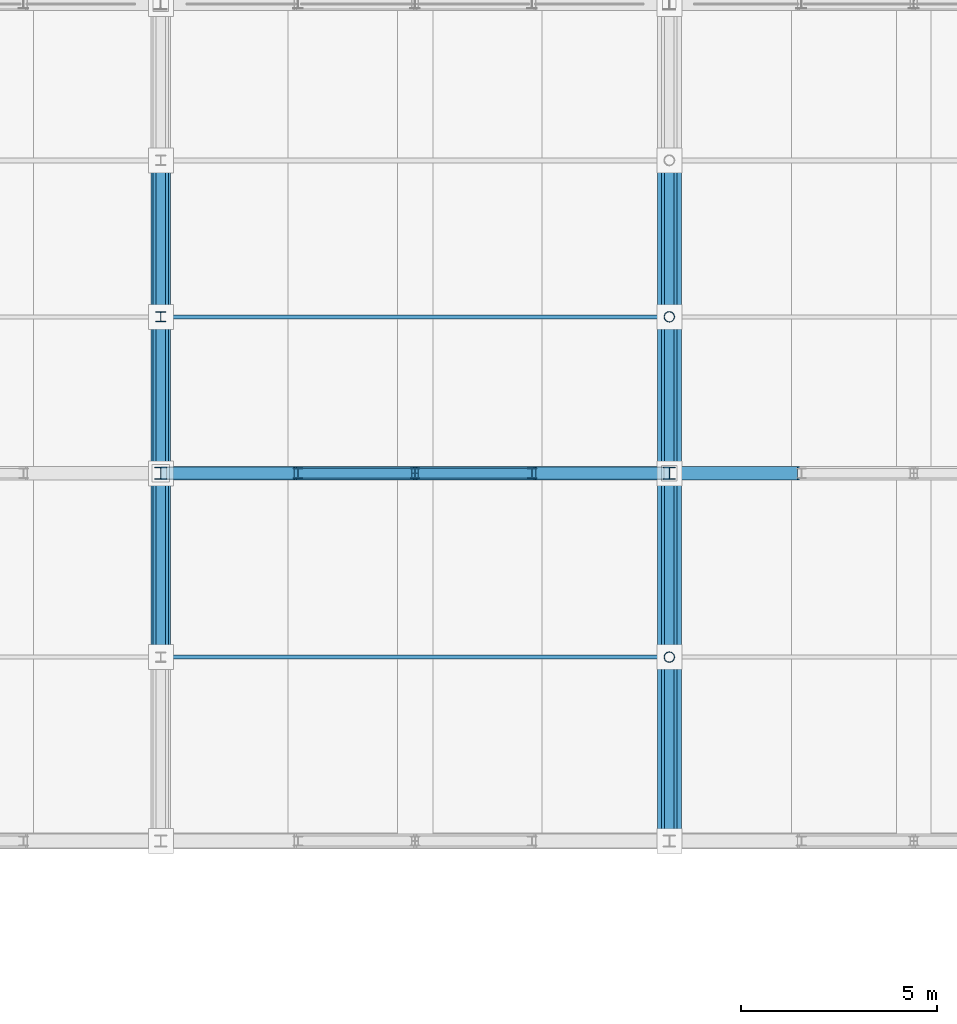
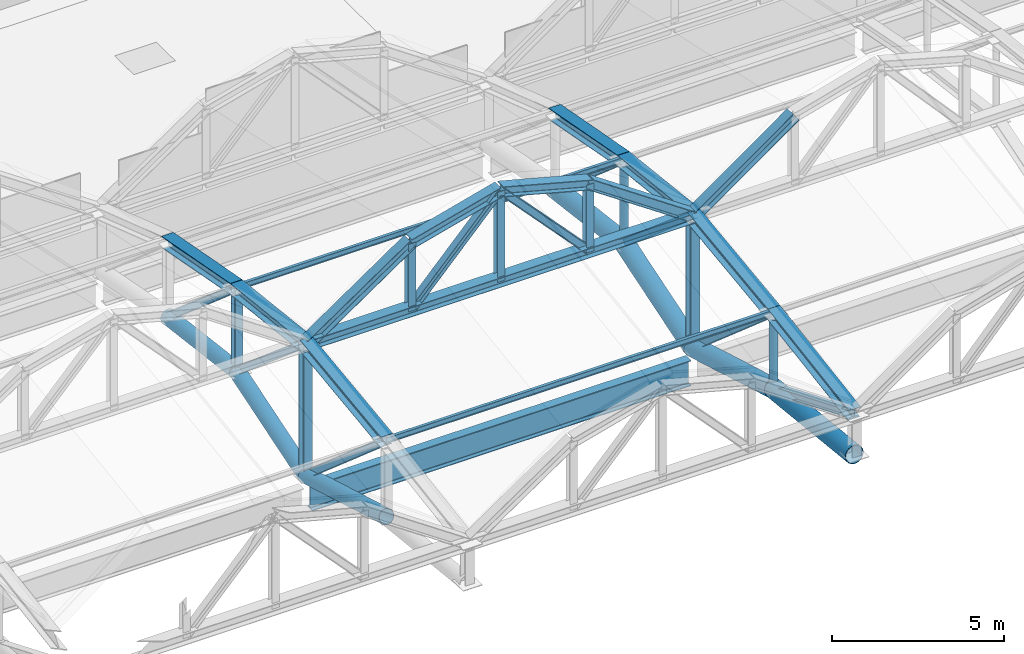
# One storey, part 50 of 117: 39 members, 1 beam.
"""IFC4 building model written with IfcOpenShell, lengths in metres."""

from ifc_helpers import new_model, si_unit, direction, frame, origin, origin_2d, place, context, subcontext, project, spatial, hollow_circle, i_section, extrude, material, material_profile, profile_set, type_object, element, save


model = new_model("IFC4")

# Units and contexts
model_context = context("Model", 3, precision=1e-05, world=origin(), true_north=direction((0.0, 1.0)))
body_context = subcontext(model_context, "Body", "Model", "MODEL_VIEW")
ifc_project = project(units=[si_unit("LENGTHUNIT", "METRE"), si_unit("AREAUNIT", "SQUARE_METRE"), si_unit("VOLUMEUNIT", "CUBIC_METRE"), si_unit("PLANEANGLEUNIT", "RADIAN"), si_unit("MASSUNIT", "GRAM", prefix="KILO")], contexts=[model_context])

# Site, building, storey
site_placement = place(None, origin())
site = spatial("IfcSite", under=ifc_project, at=site_placement, CompositionType="ELEMENT")
building_placement = place(site_placement, origin())
building = spatial("IfcBuilding", under=site, at=building_placement, Name="Kazenohara Klinker Stadium", CompositionType="ELEMENT")
storey_placement = place(building_placement, frame((0.0, 0.0, 31.199951171875)))
storey = spatial("IfcBuildingStorey", under=building, at=storey_placement, Name="RF", CompositionType="ELEMENT", Elevation=31.199951171875)

# Members
ifc_material = material(Name="Steel S355", Category="steel")
ifc_material_profile_1 = material_profile(ifc_material, i_section(OverallWidth=0.25, OverallDepth=0.25, WebThickness=0.009033203125, FlangeThickness=0.013916015625, FilletRadius=0.012939453125, at=origin_2d()), Name="H-250x250x9x14")
ifc_profile_set_1 = profile_set([ifc_material_profile_1], Name="Steel S355")
member_type_1 = type_object("IfcMemberType", Name="MEM-BRC02", PredefinedType="BRACE", material=ifc_profile_set_1)
member_1_placement = place(storey_placement, frame((112.0, 140.0, 0.75), z_axis=(0.0, -0.757253091298, 0.653121547432), x_axis=(1.0, 0.0, 0.0)))
element("IfcMember", 1, at=member_1_placement, inside=storey, type_object=member_type_1, Name="ROOF TRUSS RT-N05 web diagonal 2", PredefinedType="BRACE", context=body_context, shape_type="SweptSolid", body=[
    extrude(i_section(OverallWidth=0.25, OverallDepth=0.25, WebThickness=0.009033203125, FlangeThickness=0.013916015625, FilletRadius=0.012939453125, at=origin_2d()), origin(), (0.0, 0.0, 1.0), 5.2822265625),
])
member_2_placement = place(storey_placement, frame((112.0, 136.0, 1.25), z_axis=(0.0, -0.761925548551, 0.647664618815), x_axis=(1.0, 0.0, 0.0)))
element("IfcMember", 2, at=member_2_placement, inside=storey, type_object=member_type_1, Name="ROOF TRUSS RT-N05 web diagonal 3", PredefinedType="BRACE", context=body_context, shape_type="SweptSolid", body=[
    extrude(i_section(OverallWidth=0.25, OverallDepth=0.25, WebThickness=0.009033203125, FlangeThickness=0.013916015625, FilletRadius=0.012939453125, at=origin_2d()), origin(), (0.0, 0.0, 1.0), 5.249755859375),
])
member_3_placement = place(storey_placement, frame((112.0, 132.0, -0.02001953125), z_axis=(0.0, -0.755945561544, 0.65463448426), x_axis=(1.0, 0.0, 0.0)))
element("IfcMember", 3, at=member_3_placement, inside=storey, type_object=member_type_1, Name="ROOF TRUSS RT-N05 web diagonal 4", PredefinedType="BRACE", context=body_context, shape_type="SweptSolid", body=[
    extrude(i_section(OverallWidth=0.25, OverallDepth=0.25, WebThickness=0.009033203125, FlangeThickness=0.013916015625, FilletRadius=0.012939453125, at=origin_2d()), origin(), (0.0, 0.0, 1.0), 6.21728515625),
])
member_4_placement = place(storey_placement, frame((125.0, 140.0, 0.75), z_axis=(0.0, -0.757253091298, 0.653121547432), x_axis=(1.0, 0.0, 0.0)))
element("IfcMember", 4, at=member_4_placement, inside=storey, type_object=member_type_1, Name="ROOF TRUSS RT-N06 web diagonal 2", PredefinedType="BRACE", context=body_context, shape_type="SweptSolid", body=[
    extrude(i_section(OverallWidth=0.25, OverallDepth=0.25, WebThickness=0.009033203125, FlangeThickness=0.013916015625, FilletRadius=0.012939453125, at=origin_2d()), origin(), (0.0, 0.0, 1.0), 5.2822265625),
])
member_5_placement = place(storey_placement, frame((125.0, 136.0, 1.25), z_axis=(0.0, -0.761925548551, 0.647664618815), x_axis=(1.0, 0.0, 0.0)))
element("IfcMember", 5, at=member_5_placement, inside=storey, type_object=member_type_1, Name="ROOF TRUSS RT-N06 web diagonal 3", PredefinedType="BRACE", context=body_context, shape_type="SweptSolid", body=[
    extrude(i_section(OverallWidth=0.25, OverallDepth=0.25, WebThickness=0.009033203125, FlangeThickness=0.013916015625, FilletRadius=0.012939453125, at=origin_2d()), origin(), (0.0, 0.0, 1.0), 5.249755859375),
])
member_6_placement = place(storey_placement, frame((125.0, 132.0, -0.02001953125), z_axis=(0.0, -0.755945561544, 0.65463448426), x_axis=(1.0, 0.0, 0.0)))
element("IfcMember", 6, at=member_6_placement, inside=storey, type_object=member_type_1, Name="ROOF TRUSS RT-N06 web diagonal 4", PredefinedType="BRACE", context=body_context, shape_type="SweptSolid", body=[
    extrude(i_section(OverallWidth=0.25, OverallDepth=0.25, WebThickness=0.009033203125, FlangeThickness=0.013916015625, FilletRadius=0.012939453125, at=origin_2d()), origin(), (0.0, 0.0, 1.0), 6.21728515625),
])
member_7_placement = place(storey_placement, frame((125.0, 127.300048828125, 1.35009765625), z_axis=(0.0, -0.923659284192, 0.383214726655), x_axis=(1.0, 0.0, 0.0)))
element("IfcMember", 7, at=member_7_placement, inside=storey, type_object=member_type_1, Name="ROOF TRUSS RT-N06 web diagonal 5", PredefinedType="BRACE", context=body_context, shape_type="SweptSolid", body=[
    extrude(i_section(OverallWidth=0.25, OverallDepth=0.25, WebThickness=0.009033203125, FlangeThickness=0.013916015625, FilletRadius=0.012939453125, at=origin_2d()), origin(), (0.0, 0.0, 1.0), 5.08837890625),
])
ifc_material_profile_2 = material_profile(ifc_material, i_section(OverallWidth=0.39990234375, OverallDepth=0.39990234375, WebThickness=0.012939453125, FlangeThickness=0.02099609375, FilletRadius=0.02197265625, at=origin_2d()), Name="H-400x400x13x21")
ifc_profile_set_2 = profile_set([ifc_material_profile_2], Name="Steel S355")
member_type_2 = type_object("IfcMemberType", Name="MEM-CHD01", PredefinedType="CHORD", material=ifc_profile_set_2)
member_8_placement = place(storey_placement, frame((112.0, 140.0, 3.449951171875), z_axis=(0.0, -0.982872186934, 0.18428853505), x_axis=(1.0, 0.0, 0.0)))
element("IfcMember", 8, at=member_8_placement, inside=storey, type_object=member_type_2, Name="ROOF TRUSS RT-N05 top arched chord 2", PredefinedType="CHORD", context=body_context, shape_type="SweptSolid", body=[
    extrude(i_section(OverallWidth=0.39990234375, OverallDepth=0.39990234375, WebThickness=0.012939453125, FlangeThickness=0.02099609375, FilletRadius=0.02197265625, at=origin_2d()), origin(), (0.0, 0.0, 1.0), 4.06982421875),
])
member_9_placement = place(storey_placement, frame((112.0, 136.0, 4.199951171875), z_axis=(0.0, -0.993725924527, 0.111842688283), x_axis=(1.0, 0.0, 0.0)))
element("IfcMember", 9, at=member_9_placement, inside=storey, type_object=member_type_2, Name="ROOF TRUSS RT-N05 top arched chord 3", PredefinedType="CHORD", context=body_context, shape_type="SweptSolid", body=[
    extrude(i_section(OverallWidth=0.39990234375, OverallDepth=0.39990234375, WebThickness=0.012939453125, FlangeThickness=0.02099609375, FilletRadius=0.02197265625, at=origin_2d()), origin(), (0.0, 0.0, 1.0), 4.025146484375),
])
member_10_placement = place(storey_placement, frame((112.0, 132.0, 4.650146484375), z_axis=(0.0, -0.99194702514, -0.126653461524), x_axis=(1.0, 0.0, 0.0)))
element("IfcMember", 10, at=member_10_placement, inside=storey, type_object=member_type_2, Name="ROOF TRUSS RT-N05 top arched chord 4", PredefinedType="CHORD", context=body_context, shape_type="SweptSolid", body=[
    extrude(i_section(OverallWidth=0.39990234375, OverallDepth=0.39990234375, WebThickness=0.012939453125, FlangeThickness=0.02099609375, FilletRadius=0.02197265625, at=origin_2d()), origin(), (0.0, 0.0, 1.0), 4.738037109375),
])
member_11_placement = place(storey_placement, frame((125.0, 140.0, 3.449951171875), z_axis=(0.0, -0.982872186934, 0.18428853505), x_axis=(1.0, 0.0, 0.0)))
element("IfcMember", 11, at=member_11_placement, inside=storey, type_object=member_type_2, Name="ROOF TRUSS RT-N06 top arched chord 2", PredefinedType="CHORD", context=body_context, shape_type="SweptSolid", body=[
    extrude(i_section(OverallWidth=0.39990234375, OverallDepth=0.39990234375, WebThickness=0.012939453125, FlangeThickness=0.02099609375, FilletRadius=0.02197265625, at=origin_2d()), origin(), (0.0, 0.0, 1.0), 4.06982421875),
])
member_12_placement = place(storey_placement, frame((125.0, 136.0, 4.199951171875), z_axis=(0.0, -0.993725924527, 0.111842688283), x_axis=(1.0, 0.0, 0.0)))
element("IfcMember", 12, at=member_12_placement, inside=storey, type_object=member_type_2, Name="ROOF TRUSS RT-N06 top arched chord 3", PredefinedType="CHORD", context=body_context, shape_type="SweptSolid", body=[
    extrude(i_section(OverallWidth=0.39990234375, OverallDepth=0.39990234375, WebThickness=0.012939453125, FlangeThickness=0.02099609375, FilletRadius=0.02197265625, at=origin_2d()), origin(), (0.0, 0.0, 1.0), 4.025146484375),
])
member_13_placement = place(storey_placement, frame((125.0, 132.0, 4.650146484375), z_axis=(0.0, -0.99194702514, -0.126653461524), x_axis=(1.0, 0.0, 0.0)))
element("IfcMember", 13, at=member_13_placement, inside=storey, type_object=member_type_2, Name="ROOF TRUSS RT-N06 top arched chord 4", PredefinedType="CHORD", context=body_context, shape_type="SweptSolid", body=[
    extrude(i_section(OverallWidth=0.39990234375, OverallDepth=0.39990234375, WebThickness=0.012939453125, FlangeThickness=0.02099609375, FilletRadius=0.02197265625, at=origin_2d()), origin(), (0.0, 0.0, 1.0), 4.738037109375),
])
member_14_placement = place(storey_placement, frame((125.0, 127.300048828125, 4.050048828125), z_axis=(0.0, -0.987505848374, -0.157582357602), x_axis=(1.0, 0.0, 0.0)))
element("IfcMember", 14, at=member_14_placement, inside=storey, type_object=member_type_2, Name="ROOF TRUSS RT-N06 top arched chord 5", PredefinedType="CHORD", context=body_context, shape_type="SweptSolid", body=[
    extrude(i_section(OverallWidth=0.39990234375, OverallDepth=0.39990234375, WebThickness=0.012939453125, FlangeThickness=0.02099609375, FilletRadius=0.02197265625, at=origin_2d()), origin(), (0.0, 0.0, 1.0), 4.759521484375),
])
ifc_material_profile_3 = material_profile(ifc_material, i_section(OverallWidth=0.35009765625, OverallDepth=0.35009765625, WebThickness=0.011962890625, FlangeThickness=0.01904296875, FilletRadius=0.012939453125, at=origin_2d()), Name="H-350x350x12x19")
ifc_profile_set_3 = profile_set([ifc_material_profile_3], Name="Steel S355")
member_type_3 = type_object("IfcMemberType", Name="MEM-CHD02", PredefinedType="CHORD", material=ifc_profile_set_3)
member_15_placement = place(storey_placement, frame((112.0, 132.0, 4.650146484375), z_axis=(1.0, 0.0, 0.0), x_axis=(0.0, 1.0, 0.0)))
element("IfcMember", 15, at=member_15_placement, inside=storey, type_object=member_type_3, Name="Barrel arch tie chord TC02 N-05-N3", PredefinedType="CHORD", context=body_context, shape_type="SweptSolid", body=[
    extrude(i_section(OverallWidth=0.35009765625, OverallDepth=0.35009765625, WebThickness=0.011962890625, FlangeThickness=0.01904296875, FilletRadius=0.012939453125, at=origin_2d()), origin(), (0.0, 0.0, 1.0), 13.0),
])
member_16_placement = place(storey_placement, frame((112.0, 132.0, 4.650146484375), z_axis=(0.825491711615, 0.0, 0.56441423977), x_axis=(0.0, 1.0, 0.0)))
element("IfcMember", 16, at=member_16_placement, inside=storey, type_object=member_type_3, Name="Barrel arch top rib TC02 N-05-N3-S1", PredefinedType="CHORD", context=body_context, shape_type="SweptSolid", body=[
    extrude(i_section(OverallWidth=0.35009765625, OverallDepth=0.35009765625, WebThickness=0.011962890625, FlangeThickness=0.01904296875, FilletRadius=0.012939453125, at=origin_2d()), origin(), (0.0, 0.0, 1.0), 4.251953125),
])
for number, where, z_axis, x_axis, name in (
    (17, (115.510009765625, 132.0, 7.050048828125), (0.966015959624, 0.0, 0.258482428324), (0.0, 1.0, 0.0), "Barrel arch top rib TC02 N-05-N3-S2"),
    (18, (118.5, 132.0, 7.85009765625), (0.966015959624, 0.0, -0.258482428324), (0.0, 1.0, 0.0), "Barrel arch top rib TC02 N-05-N3-S3"),
):
    element("IfcMember", number, at=place(storey_placement, frame(where, z_axis=z_axis, x_axis=x_axis)), inside=storey, type_object=member_type_3, Name=name, PredefinedType="CHORD", context=body_context, shape_type="SweptSolid", body=[
        extrude(i_section(OverallWidth=0.35009765625, OverallDepth=0.35009765625, WebThickness=0.011962890625, FlangeThickness=0.01904296875, FilletRadius=0.012939453125, at=origin_2d()), origin(), (0.0, 0.0, 1.0), 3.09521484375),
    ])
member_17_placement = place(storey_placement, frame((121.489990234375, 132.0, 7.050048828125), z_axis=(0.825491711615, 0.0, -0.56441423977), x_axis=(0.0, 1.0, 0.0)))
element("IfcMember", 19, at=member_17_placement, inside=storey, type_object=member_type_3, Name="Barrel arch top rib TC02 N-05-N3-S4", PredefinedType="CHORD", context=body_context, shape_type="SweptSolid", body=[
    extrude(i_section(OverallWidth=0.35009765625, OverallDepth=0.35009765625, WebThickness=0.011962890625, FlangeThickness=0.01904296875, FilletRadius=0.012939453125, at=origin_2d()), origin(), (0.0, 0.0, 1.0), 4.251953125),
])
member_18_placement = place(storey_placement, frame((125.0, 132.0, 4.650146484375), z_axis=(0.814966461491, 0.0, 0.579508124744), x_axis=(0.0, 1.0, 0.0)))
element("IfcMember", 20, at=member_18_placement, inside=storey, type_object=member_type_3, Name="Barrel arch top rib TC02 N-06-N3-S1", PredefinedType="CHORD", context=body_context, shape_type="SweptSolid", body=[
    extrude(i_section(OverallWidth=0.35009765625, OverallDepth=0.35009765625, WebThickness=0.011962890625, FlangeThickness=0.01904296875, FilletRadius=0.012939453125, at=origin_2d()), origin(), (0.0, 0.0, 1.0), 4.141357421875),
])
ifc_material_profile_4 = material_profile(ifc_material, hollow_circle(Radius=0.25390625, WallThickness=0.01611328125, at=origin_2d()), Name="CHS-508.0x16")
ifc_profile_set_4 = profile_set([ifc_material_profile_4], Name="Steel S355")
member_type_4 = type_object("IfcMemberType", Name="MEM-CHD04", PredefinedType="CHORD", material=ifc_profile_set_4)
member_19_placement = place(storey_placement, frame((112.0, 140.0, 0.75), z_axis=(0.0, -0.992277876714, 0.124034734589), x_axis=(1.0, 0.0, 0.0)))
element("IfcMember", 21, at=member_19_placement, inside=storey, type_object=member_type_4, Name="ROOF TRUSS RT-N05 bottom arched chord 2", PredefinedType="CHORD", context=body_context, shape_type="SweptSolid", body=[
    extrude(hollow_circle(Radius=0.25390625, WallThickness=0.01611328125, at=origin_2d()), origin(), (0.0, 0.0, 1.0), 4.03125),
])
member_20_placement = place(storey_placement, frame((112.0, 136.0, 1.25), z_axis=(0.0, -0.953112016541, -0.302617719119), x_axis=(1.0, 0.0, 0.0)))
element("IfcMember", 22, at=member_20_placement, inside=storey, type_object=member_type_4, Name="ROOF TRUSS RT-N05 bottom arched chord 3", PredefinedType="CHORD", context=body_context, shape_type="SweptSolid", body=[
    extrude(hollow_circle(Radius=0.25390625, WallThickness=0.01611328125, at=origin_2d()), origin(), (0.0, 0.0, 1.0), 4.19677734375),
])
member_21_placement = place(storey_placement, frame((112.0, 132.0, -0.02001953125), z_axis=(0.0, -0.960038530088, 0.279867863012), x_axis=(1.0, 0.0, 0.0)))
element("IfcMember", 23, at=member_21_placement, inside=storey, type_object=member_type_4, Name="ROOF TRUSS RT-N05 bottom arched chord 4", PredefinedType="CHORD", context=body_context, shape_type="SweptSolid", body=[
    extrude(hollow_circle(Radius=0.25390625, WallThickness=0.01611328125, at=origin_2d()), origin(), (0.0, 0.0, 1.0), 4.8955078125),
])
ifc_material_profile_5 = material_profile(ifc_material, hollow_circle(Radius=0.3046875, WallThickness=0.01611328125, at=origin_2d()), Name="CHS-609.6x16")
ifc_profile_set_5 = profile_set([ifc_material_profile_5], Name="Steel S355")
member_type_5 = type_object("IfcMemberType", Name="MEM-CHD05", PredefinedType="CHORD", material=ifc_profile_set_5)
member_22_placement = place(storey_placement, frame((125.0, 140.0, 0.75), z_axis=(0.0, -0.992277876714, 0.124034734589), x_axis=(1.0, 0.0, 0.0)))
element("IfcMember", 24, at=member_22_placement, inside=storey, type_object=member_type_5, Name="ROOF TRUSS RT-N06 bottom arched chord 2", PredefinedType="CHORD", context=body_context, shape_type="SweptSolid", body=[
    extrude(hollow_circle(Radius=0.3046875, WallThickness=0.01611328125, at=origin_2d()), origin(), (0.0, 0.0, 1.0), 4.03125),
])
member_23_placement = place(storey_placement, frame((125.0, 136.0, 1.25), z_axis=(0.0, -0.953112016541, -0.302617719119), x_axis=(1.0, 0.0, 0.0)))
element("IfcMember", 25, at=member_23_placement, inside=storey, type_object=member_type_5, Name="ROOF TRUSS RT-N06 bottom arched chord 3", PredefinedType="CHORD", context=body_context, shape_type="SweptSolid", body=[
    extrude(hollow_circle(Radius=0.3046875, WallThickness=0.01611328125, at=origin_2d()), origin(), (0.0, 0.0, 1.0), 4.19677734375),
])
member_24_placement = place(storey_placement, frame((125.0, 132.0, -0.02001953125), z_axis=(0.0, -0.960038530088, 0.279867863012), x_axis=(1.0, 0.0, 0.0)))
element("IfcMember", 26, at=member_24_placement, inside=storey, type_object=member_type_5, Name="ROOF TRUSS RT-N06 bottom arched chord 4", PredefinedType="CHORD", context=body_context, shape_type="SweptSolid", body=[
    extrude(hollow_circle(Radius=0.3046875, WallThickness=0.01611328125, at=origin_2d()), origin(), (0.0, 0.0, 1.0), 4.8955078125),
])
member_25_placement = place(storey_placement, frame((125.0, 127.300048828125, 1.35009765625), z_axis=(0.0, -0.99438879757, 0.105787141313), x_axis=(1.0, 0.0, 0.0)))
element("IfcMember", 27, at=member_25_placement, inside=storey, type_object=member_type_5, Name="ROOF TRUSS RT-N06 bottom arched chord 5", PredefinedType="CHORD", context=body_context, shape_type="SweptSolid", body=[
    extrude(hollow_circle(Radius=0.3046875, WallThickness=0.01611328125, at=origin_2d()), origin(), (0.0, 0.0, 1.0), 4.7265625),
])
ifc_material_profile_6 = material_profile(ifc_material, i_section(OverallWidth=0.10009765625, OverallDepth=0.199951171875, WebThickness=0.005615234375, FlangeThickness=0.008056640625, FilletRadius=0.008056640625, at=origin_2d()), Name="H-200x100x5.5x8")
ifc_profile_set_6 = profile_set([ifc_material_profile_6], Name="Steel S355")
member_type_6 = type_object("IfcMemberType", Name="MEM-PUR02", PredefinedType="PURLIN", material=ifc_profile_set_6)
for number, where, z_axis, x_axis, name in (
    (28, (112.0, 136.0, 4.219970703125), (1.0, 0.0, 0.0), (0.0, 1.0, 0.0), "Canopy valley tie purlin PR02 N-05-N2"),
    (29, (112.0, 127.300048828125, 4.070068359375), (1.0, 0.0, 0.0), (0.0, 1.0, 0.0), "Canopy valley tie purlin PR02 N-05-N4"),
):
    element("IfcMember", number, at=place(storey_placement, frame(where, z_axis=z_axis, x_axis=x_axis)), inside=storey, type_object=member_type_6, Name=name, PredefinedType="PURLIN", context=body_context, shape_type="SweptSolid", body=[
        extrude(i_section(OverallWidth=0.10009765625, OverallDepth=0.199951171875, WebThickness=0.005615234375, FlangeThickness=0.008056640625, FilletRadius=0.008056640625, at=origin_2d()), origin(), (0.0, 0.0, 1.0), 13.0),
    ])
ifc_material_profile_7 = material_profile(ifc_material, i_section(OverallWidth=0.300048828125, OverallDepth=0.300048828125, WebThickness=0.010009765625, FlangeThickness=0.014892578125, FilletRadius=0.012939453125, at=origin_2d()), Name="H-300x300x10x15")
ifc_profile_set_7 = profile_set([ifc_material_profile_7], Name="Steel S355")
member_type_7 = type_object("IfcMemberType", Name="MEM-STR01", PredefinedType="STRUT", material=ifc_profile_set_7)
for number, where, z_axis, x_axis, name in (
    (30, (112.0, 132.0, -0.02001953125), (0.0, 0.0, 1.0), (1.0, 0.0, 0.0), "ROOF TRUSS RT-N05 web post 4"),
    (31, (125.0, 132.0, -0.02001953125), (0.0, 0.0, 1.0), (1.0, 0.0, 0.0), "ROOF TRUSS RT-N06 web post 4"),
):
    element("IfcMember", number, at=place(storey_placement, frame(where, z_axis=z_axis, x_axis=x_axis)), inside=storey, type_object=member_type_7, Name=name, PredefinedType="STRUT", context=body_context, shape_type="SweptSolid", body=[
        extrude(i_section(OverallWidth=0.300048828125, OverallDepth=0.300048828125, WebThickness=0.010009765625, FlangeThickness=0.014892578125, FilletRadius=0.012939453125, at=origin_2d()), origin(), (0.0, 0.0, 1.0), 4.670166015625),
    ])
ifc_material_profile_8 = material_profile(ifc_material, i_section(OverallWidth=0.25, OverallDepth=0.25, WebThickness=0.009033203125, FlangeThickness=0.013916015625, FilletRadius=0.012939453125, at=origin_2d()), Name="H-250x250x9x14")
ifc_profile_set_8 = profile_set([ifc_material_profile_8], Name="Steel S355")
member_type_8 = type_object("IfcMemberType", Name="MEM-STR02", PredefinedType="STRUT", material=ifc_profile_set_8)
member_26_placement = place(storey_placement, frame((112.0, 136.0, 1.25), z_axis=(0.0, 0.0, 1.0), x_axis=(1.0, 0.0, 0.0)))
element("IfcMember", 32, at=member_26_placement, inside=storey, type_object=member_type_8, Name="ROOF TRUSS RT-N05 web post 3", PredefinedType="STRUT", context=body_context, shape_type="SweptSolid", body=[
    extrude(i_section(OverallWidth=0.25, OverallDepth=0.25, WebThickness=0.009033203125, FlangeThickness=0.013916015625, FilletRadius=0.012939453125, at=origin_2d()), origin(), (0.0, 0.0, 1.0), 2.949951171875),
])
member_27_placement = place(storey_placement, frame((115.510009765625, 132.0, 4.650146484375), z_axis=(0.0, 0.0, 1.0), x_axis=(1.0, 0.0, 0.0)))
element("IfcMember", 33, at=member_27_placement, inside=storey, type_object=member_type_8, Name="Barrel arch web post TS02 N-05-N3-P1", PredefinedType="STRUT", context=body_context, shape_type="SweptSolid", body=[
    extrude(i_section(OverallWidth=0.25, OverallDepth=0.25, WebThickness=0.009033203125, FlangeThickness=0.013916015625, FilletRadius=0.012939453125, at=origin_2d()), origin(), (0.0, 0.0, 1.0), 2.39990234375),
])
member_28_placement = place(storey_placement, frame((118.5, 132.0, 4.650146484375), z_axis=(0.0, 0.0, 1.0), x_axis=(1.0, 0.0, 0.0)))
element("IfcMember", 34, at=member_28_placement, inside=storey, type_object=member_type_8, Name="Barrel arch web post TS02 N-05-N3-P2", PredefinedType="STRUT", context=body_context, shape_type="SweptSolid", body=[
    extrude(i_section(OverallWidth=0.25, OverallDepth=0.25, WebThickness=0.009033203125, FlangeThickness=0.013916015625, FilletRadius=0.012939453125, at=origin_2d()), origin(), (0.0, 0.0, 1.0), 3.199951171875),
])
member_29_placement = place(storey_placement, frame((121.489990234375, 132.0, 4.650146484375), z_axis=(0.0, 0.0, 1.0), x_axis=(1.0, 0.0, 0.0)))
element("IfcMember", 35, at=member_29_placement, inside=storey, type_object=member_type_8, Name="Barrel arch web post TS02 N-05-N3-P3", PredefinedType="STRUT", context=body_context, shape_type="SweptSolid", body=[
    extrude(i_section(OverallWidth=0.25, OverallDepth=0.25, WebThickness=0.009033203125, FlangeThickness=0.013916015625, FilletRadius=0.012939453125, at=origin_2d()), origin(), (0.0, 0.0, 1.0), 2.39990234375),
])
for number, where, z_axis, x_axis, name in (
    (36, (115.510009765625, 132.0, 4.650146484375), (0.682729290589, 0.0, 0.730671414366), (0.0, 1.0, 0.0), "Barrel arch web diagonal TS02 N-05-N3-D1"),
    (37, (121.489990234375, 132.0, 4.650146484375), (-0.682729290589, 0.0, 0.730671414366), (0.0, -1.0, 0.0), "Barrel arch web diagonal TS02 N-05-N3-D2"),
):
    element("IfcMember", number, at=place(storey_placement, frame(where, z_axis=z_axis, x_axis=x_axis)), inside=storey, type_object=member_type_8, Name=name, PredefinedType="STRUT", context=body_context, shape_type="SweptSolid", body=[
        extrude(i_section(OverallWidth=0.25, OverallDepth=0.25, WebThickness=0.009033203125, FlangeThickness=0.013916015625, FilletRadius=0.012939453125, at=origin_2d()), origin(), (0.0, 0.0, 1.0), 4.37939453125),
    ])
ifc_material_profile_9 = material_profile(ifc_material, hollow_circle(Radius=0.1337890625, WallThickness=0.009033203125, at=origin_2d()), Name="CHS-267.4x9")
ifc_profile_set_9 = profile_set([ifc_material_profile_9], Name="Steel S355")
member_type_9 = type_object("IfcMemberType", Name="MEM-STR03", PredefinedType="STRUT", material=ifc_profile_set_9)
member_30_placement = place(storey_placement, frame((125.0, 136.0, 1.25), z_axis=(0.0, 0.0, 1.0), x_axis=(1.0, 0.0, 0.0)))
element("IfcMember", 38, at=member_30_placement, inside=storey, type_object=member_type_9, Name="ROOF TRUSS RT-N06 web post 3", PredefinedType="STRUT", context=body_context, shape_type="SweptSolid", body=[
    extrude(hollow_circle(Radius=0.1337890625, WallThickness=0.009033203125, at=origin_2d()), origin(), (0.0, 0.0, 1.0), 2.949951171875),
])
member_31_placement = place(storey_placement, frame((125.0, 127.300048828125, 1.35009765625), z_axis=(0.0, 0.0, 1.0), x_axis=(1.0, 0.0, 0.0)))
element("IfcMember", 39, at=member_31_placement, inside=storey, type_object=member_type_9, Name="ROOF TRUSS RT-N06 web post 5", PredefinedType="STRUT", context=body_context, shape_type="SweptSolid", body=[
    extrude(hollow_circle(Radius=0.1337890625, WallThickness=0.009033203125, at=origin_2d()), origin(), (0.0, 0.0, 1.0), 2.699951171875),
])

# Beam
ifc_material_profile_10 = material_profile(ifc_material, i_section(OverallWidth=0.300048828125, OverallDepth=0.89990234375, WebThickness=0.01611328125, FlangeThickness=0.028076171875, FilletRadius=0.02197265625, at=origin_2d()), Name="H-900x300x16x28")
ifc_profile_set_10 = profile_set([ifc_material_profile_10], Name="Steel S355")
beam_type = type_object("IfcBeamType", Name="RING-RB01", PredefinedType="USERDEFINED", material=ifc_profile_set_10)
beam_placement = place(storey_placement, frame((112.139892578125, 132.0, -0.820068359375), z_axis=(1.0, 0.0, 0.0), x_axis=(0.0, 1.0, 0.0)))
element("IfcBeam", 40, at=beam_placement, inside=storey, type_object=beam_type, Name="Roof ring beam RB01 N-IN 10-11", ObjectType="RING BEAM", PredefinedType="USERDEFINED", context=body_context, shape_type="SweptSolid", body=[
    extrude(i_section(OverallWidth=0.300048828125, OverallDepth=0.89990234375, WebThickness=0.01611328125, FlangeThickness=0.028076171875, FilletRadius=0.02197265625, at=origin_2d()), origin(), (0.0, 0.0, 1.0), 12.72021484375),
])

save(model, "model.ifc")
